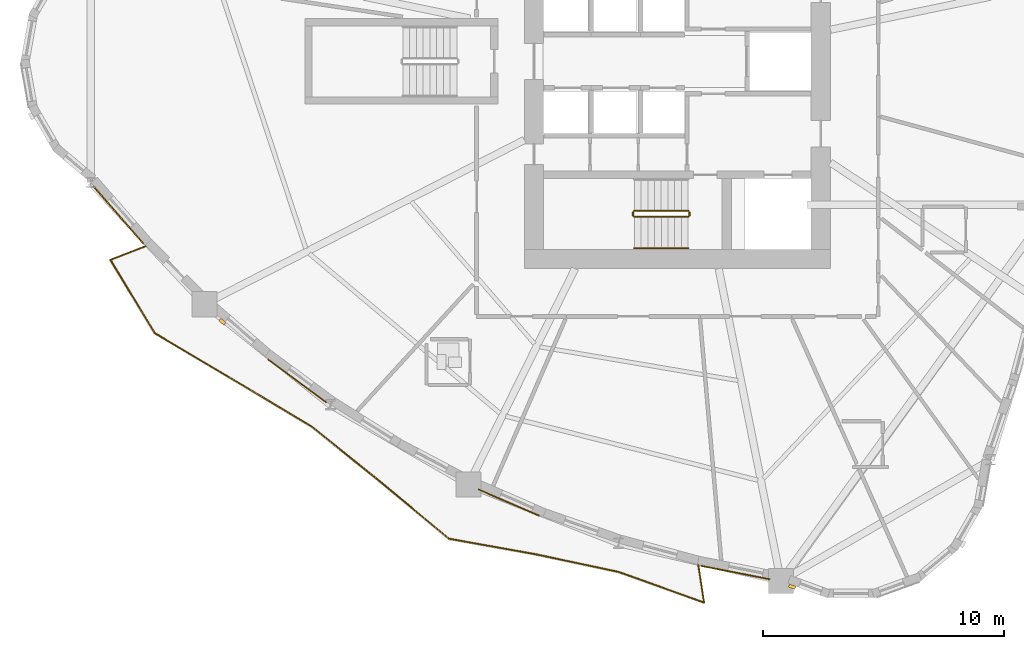
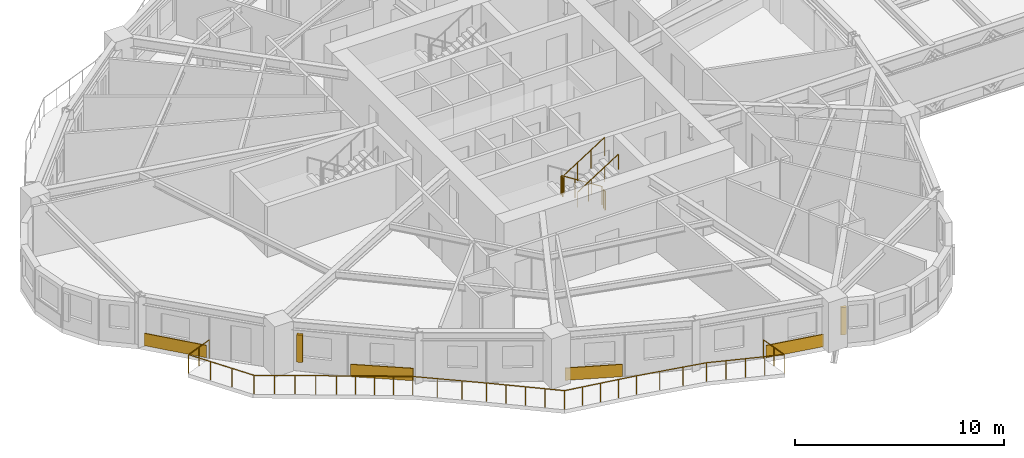
# One storey, part 14 of 18: 6 railings, 4 coverings, 2 shading devices.
"""IFC4 building model written with IfcOpenShell, lengths in metres."""

import ifcopenshell
import ifcopenshell.guid

model = None  # the IFC model being written
_history = None  # IfcOwnerHistory: only IFC2X3 demands one
_inside = {}  # id of a spatial element -> (the spatial element, [elements in it])
_under = {}  # id of a project, library or spatial element -> (it, [spatial elements below it])
_declared = {}  # id of a project -> (the project, [libraries it declares])
_typed = {}  # id of a type object -> (the type object, [elements of that type])
_made_of = {}  # id of a material, layer set ... -> (it, [elements and type objects made of it])


def new_model(schema):
    """Start an empty IFC model of exactly this schema.

    Asked for "IFC4X3", IfcOpenShell would pick the latest addendum, in which some entities
    have other attributes; the version numbers below select the first issue.
    IFC2X3 requires an IfcOwnerHistory on every rooted entity: one is made here for all.
    """
    global model, _history
    if schema == "IFC4X3":
        model = ifcopenshell.file(schema_version=(4, 3, 0, 0))
    else:
        model = ifcopenshell.file(schema=schema)
    _inside.clear()
    _under.clear()
    _declared.clear()
    _typed.clear()
    _made_of.clear()
    _history = None
    if model.schema == "IFC2X3":
        org = make("IfcOrganization", Name="unknown")
        user = make(
            "IfcPersonAndOrganization",
            ThePerson=make("IfcPerson", FamilyName="unknown"),
            TheOrganization=org,
        )
        app = make(
            "IfcApplication",
            ApplicationDeveloper=org,
            Version="unknown",
            ApplicationFullName="unknown",
            ApplicationIdentifier="unknown",
        )
        _history = make(
            "IfcOwnerHistory",
            OwningUser=user,
            OwningApplication=app,
            ChangeAction="ADDED",
            CreationDate=0,
        )
    return model


def make(cls, **values):
    """One entity of the class cls with the attributes given. An attribute that is None is left unset."""
    return model.create_entity(
        cls, **{name: value for name, value in values.items() if value is not None}
    )


def rooted(cls, **values):
    """An entity with a GlobalId (a new one), such as an element, a storey or a relation."""
    return make(cls, GlobalId=ifcopenshell.guid.new(), OwnerHistory=_history, **values)


def si_unit(unit_type, name, prefix=None):
    """IfcSIUnit, for example si_unit("LENGTHUNIT", "METRE", prefix="MILLI")."""
    return make("IfcSIUnit", UnitType=unit_type, Prefix=prefix, Name=name)


def assignment(units):
    """IfcUnitAssignment: the units of a project."""
    return None if units is None else make("IfcUnitAssignment", Units=units)


def point(xyz):
    """IfcCartesianPoint."""
    return None if xyz is None else make("IfcCartesianPoint", Coordinates=xyz)


def direction(xyz):
    """IfcDirection."""
    return None if xyz is None else make("IfcDirection", DirectionRatios=xyz)


def frame(location, z_axis=None, x_axis=None):
    """IfcAxis2Placement3D, a coordinate frame: its origin and axes. An axis left out is left unset."""
    return make(
        "IfcAxis2Placement3D",
        Location=point(location),
        Axis=direction(z_axis),
        RefDirection=direction(x_axis),
    )


def frame_2d(location, x_axis=None):
    """IfcAxis2Placement2D, a coordinate frame in the plane: its origin and x axis."""
    return make(
        "IfcAxis2Placement2D", Location=point(location), RefDirection=direction(x_axis)
    )


def origin():
    """The frame at (0, 0, 0) with its axes left unset."""
    return frame((0.0, 0.0, 0.0))


def origin_2d():
    """The frame at (0, 0) in the plane with its x axis left unset."""
    return frame_2d((0.0, 0.0))


def place(relative_to, where):
    """IfcLocalPlacement: puts the frame where relative to a parent placement (None: the world)."""
    return make(
        "IfcLocalPlacement", PlacementRelTo=relative_to, RelativePlacement=where
    )


def context(
    kind, dimensions, precision=None, world=None, true_north=None, identifier=None
):
    """IfcGeometricRepresentationContext, for example the 3D "Model" context."""
    return make(
        "IfcGeometricRepresentationContext",
        ContextIdentifier=identifier,
        ContextType=kind,
        CoordinateSpaceDimension=dimensions,
        Precision=precision,
        WorldCoordinateSystem=world,
        TrueNorth=true_north,
    )


def subcontext(parent, identifier, kind, view, scale=None):
    """IfcGeometricRepresentationSubContext, for example "Body" below "Model"."""
    return make(
        "IfcGeometricRepresentationSubContext",
        ContextIdentifier=identifier,
        ContextType=kind,
        ParentContext=parent,
        TargetScale=scale,
        TargetView=view,
    )


def project(units=None, contexts=None):
    """IfcProject with its units and contexts."""
    return rooted(
        "IfcProject",
        Name="project",
        RepresentationContexts=contexts,
        UnitsInContext=assignment(units),
    )


def spatial(cls, under=None, at=None, **own):
    """A site, building, storey or space (cls), placed at a placement, below another one or the project."""
    s = rooted(cls, ObjectPlacement=at, **own)
    if under is not None:
        _under.setdefault(under.id(), (under, []))[1].append(s)
    return s


def profile(cls, at=None, kind="AREA", **sizes):
    """A parametric profile (cls). Its sizes go by their IFC names, for example OverallWidth=200.0."""
    return make(cls, ProfileType=kind, Position=at, **sizes)


def rectangle(**sizes):
    """IfcRectangleProfileDef."""
    return profile("IfcRectangleProfileDef", **sizes)


def circle(**sizes):
    """IfcCircleProfileDef."""
    return profile("IfcCircleProfileDef", **sizes)


def extrude(swept, where, along, depth):
    """IfcExtrudedAreaSolid: the profile swept, set in the frame where, extruded along a direction by depth."""
    return make(
        "IfcExtrudedAreaSolid",
        SweptArea=swept,
        Position=where,
        ExtrudedDirection=direction(along),
        Depth=depth,
    )


def shape(context_of_items, identifier, shape_type, items):
    """IfcShapeRepresentation: the items that make up one representation, for example the "Body"."""
    return make(
        "IfcShapeRepresentation",
        ContextOfItems=context_of_items,
        RepresentationIdentifier=identifier,
        RepresentationType=shape_type,
        Items=items,
    )


def source(mapping_origin, context_of_items, identifier, shape_type, items):
    """IfcRepresentationMap: a shape defined once, which mapped items show again and again."""
    return make(
        "IfcRepresentationMap",
        MappingOrigin=mapping_origin,
        MappedRepresentation=shape(context_of_items, identifier, shape_type, items),
    )


def transform(
    local_origin,
    x_axis=None,
    y_axis=None,
    z_axis=None,
    scale=None,
    scale2=None,
    scale3=None,
    uniform=True,
):
    """IfcCartesianTransformationOperator3D, or its non-uniform kind. x_axis, y_axis, z_axis: its Axis1, 2, 3."""
    if uniform:
        return make(
            "IfcCartesianTransformationOperator3D",
            Axis1=direction(x_axis),
            Axis2=direction(y_axis),
            LocalOrigin=point(local_origin),
            Scale=scale,
            Axis3=direction(z_axis),
        )
    return make(
        "IfcCartesianTransformationOperator3DnonUniform",
        Axis1=direction(x_axis),
        Axis2=direction(y_axis),
        LocalOrigin=point(local_origin),
        Scale=scale,
        Axis3=direction(z_axis),
        Scale2=scale2,
        Scale3=scale3,
    )


def mapped(mapping_source, mapping_target):
    """IfcMappedItem: shows the shape of a source again, moved by a transform."""
    return make(
        "IfcMappedItem", MappingSource=mapping_source, MappingTarget=mapping_target
    )


def material(Name=None, Category=None):
    """IfcMaterial."""
    return make("IfcMaterial", Name=Name, Category=Category)


def layer(
    of_material, thickness, ventilated=None, Name=None, Category=None, Priority=None
):
    """IfcMaterialLayer: one layer of a wall or slab, of a material (None: an air gap)."""
    return make(
        "IfcMaterialLayer",
        Material=of_material,
        LayerThickness=thickness,
        IsVentilated=ventilated,
        Name=Name,
        Category=Category,
        Priority=Priority,
    )


def layer_set(layers, Name=None):
    """IfcMaterialLayerSet."""
    return make("IfcMaterialLayerSet", MaterialLayers=layers, LayerSetName=Name)


def made_of(thing, what):
    """Note that an element or type object is made of a material, layer set ...; save() writes the relation."""
    if what is not None:
        _made_of.setdefault(what.id(), (what, []))[1].append(thing)
    return thing


def type_object(cls, material=None, **own):
    """A type object (cls), such as IfcWallType, which elements share."""
    return made_of(rooted(cls, **own), material)


def element(
    cls,
    number,
    at=None,
    inside=None,
    cuts=None,
    type_object=None,
    material=None,
    context=None,
    identifier="Body",
    shape_type=None,
    held_by="IfcProductDefinitionShape",
    body=None,
    shapes=None,
    **own,
):
    """One element of the class cls, such as IfcWall. Its Tag is "e" and its number.

    at: its placement. inside: the storey or other place that contains it. cuts: it is an
    opening in that element (IfcRelVoidsElement). A single representation is given by context,
    identifier, shape_type and body (its items); several are given by shapes. held_by: the class
    of the entity that holds the representations. save() writes the other relations.
    """
    e = rooted(cls, Tag="e%d" % number, ObjectPlacement=at, **own)
    if body is not None:
        shapes = [shape(context, identifier, shape_type, body)]
    if shapes is not None:
        e.Representation = make(held_by, Representations=shapes)
    if inside is not None:
        _inside.setdefault(inside.id(), (inside, []))[1].append(e)
    if cuts is not None:
        rooted(
            "IfcRelVoidsElement", RelatingBuildingElement=cuts, RelatedOpeningElement=e
        )
    if type_object is not None:
        _typed.setdefault(type_object.id(), (type_object, []))[1].append(e)
    return made_of(e, material)


def aggregate(whole, parts):
    """IfcRelAggregates: a whole, such as a stair, and the parts it consists of."""
    return rooted("IfcRelAggregates", RelatingObject=whole, RelatedObjects=parts)


def save(model, path):
    """Write the relations noted so far, then the file.

    IfcRelAggregates (storeys below a building ...), IfcRelContainedInSpatialStructure (elements
    in a storey), IfcRelDefinesByType, IfcRelAssociatesMaterial and IfcRelDeclares: one each for
    every whole, place, type object, material and project.
    """
    for whole, parts in _under.values():
        aggregate(whole, parts)
    for where, things in _inside.values():
        rooted(
            "IfcRelContainedInSpatialStructure",
            RelatedElements=things,
            RelatingStructure=where,
        )
    for kind, things in _typed.values():
        rooted("IfcRelDefinesByType", RelatedObjects=things, RelatingType=kind)
    for what, things in _made_of.values():
        rooted("IfcRelAssociatesMaterial", RelatedObjects=things, RelatingMaterial=what)
    for by, libraries in _declared.values():
        rooted("IfcRelDeclares", RelatingContext=by, RelatedDefinitions=libraries)
    model.write(path)


model = new_model("IFC4")

# Units and contexts
model_context = context("Model", 3, precision=1e-05, world=origin(), true_north=direction((0.0, 1.0)))
body_context = subcontext(model_context, "Body", "Model", "MODEL_VIEW")
ifc_project = project(units=[si_unit("LENGTHUNIT", "METRE"), si_unit("AREAUNIT", "SQUARE_METRE"), si_unit("VOLUMEUNIT", "CUBIC_METRE"), si_unit("PLANEANGLEUNIT", "RADIAN"), si_unit("MASSUNIT", "GRAM", prefix="KILO")], contexts=[model_context])

# Site, building, storey
site_placement = place(None, origin())
site = spatial("IfcSite", under=ifc_project, at=site_placement, CompositionType="ELEMENT")
building_placement = place(site_placement, origin())
building = spatial("IfcBuilding", under=site, at=building_placement, Name="Qafzar Sky-Pleat Residences", CompositionType="ELEMENT")
storey_placement = place(building_placement, frame((0.0, 0.0, 27.0)))
storey = spatial("IfcBuildingStorey", under=building, at=storey_placement, Name="L07", CompositionType="ELEMENT", Elevation=27.0)

# Shading devices
ifc_material_1 = material(Name="Honed Riyadh limestone solar fin", Category="masonry")
ifc_layer_1 = layer(ifc_material_1, 0.139892578125)
ifc_layer_set_1 = layer_set([ifc_layer_1], Name="Honed Riyadh limestone solar fin")
shading_device_type = type_object("IfcShadingDeviceType", Name="SHD-FIN-STONE", PredefinedType="SHUTTER", material=ifc_layer_set_1)
shared_shape_1 = source(origin(), body_context, "Body", "SweptSolid", [
    extrude(rectangle(XDim=0.139892578125, YDim=0.280029296875, at=origin_2d()), origin(), (0.0, 0.0, 1.0), 1.60009765625),
])
for number, where, z_axis, x_axis, name in (
    (1, (11.478515625, 15.2001953125, 0.599853515625), (0.0, 0.0, 1.0), (-0.652861447294, -0.757477346616, 0.0), "L07 Limestone Solar Fin 9"),
    (2, (35.10791015625, 4.20703125, 0.599853515625), (0.0, 0.0, 1.0), (-0.342010122116, -0.939696268148, 0.0), "L07 Limestone Solar Fin 17"),
):
    element("IfcShadingDevice", number, at=place(storey_placement, frame(where, z_axis=z_axis, x_axis=x_axis)), inside=storey, type_object=shading_device_type, Name=name, PredefinedType="SHUTTER", context=body_context, shape_type="MappedRepresentation", body=[
        mapped(shared_shape_1, transform((0.0, 0.0, 0.0), x_axis=(1.0, 0.0, 0.0), y_axis=(0.0, 1.0, 0.0), z_axis=(0.0, 0.0, 1.0), scale=1.0)),
    ])

# Coverings
ifc_material_2 = material(Name="Honed Riyadh Tuwaiq limestone cladding", Category="masonry")
ifc_layer_2 = layer(ifc_material_2, 0.044921875)
ifc_layer_set_2 = layer_set([ifc_layer_2], Name="Honed Riyadh Tuwaiq limestone cladding")
covering_type = type_object("IfcCoveringType", Name="COV-CLAD-STONE", PredefinedType="CLADDING", material=ifc_layer_set_2)
shared_shape_2 = source(origin(), body_context, "Body", "SweptSolid", [
    extrude(rectangle(XDim=2.75927734375, YDim=0.044921875, at=origin_2d()), origin(), (0.0, 0.0, 1.0), 0.719970703125),
])
covering_1_placement = place(storey_placement, frame((23.35546875, 7.695068359375, 0.02001953125), z_axis=(0.0, 0.0, 1.0), x_axis=(0.917079389831, -0.398704643499, 0.0)))
element("IfcCovering", 3, at=covering_1_placement, inside=storey, type_object=covering_type, Name="L07 Riyadh Limestone Spandrel Cladding 13", PredefinedType="CLADDING", context=body_context, shape_type="MappedRepresentation", body=[
    mapped(shared_shape_2, transform((0.0, 0.0, 0.0), x_axis=(1.0, 0.0, 0.0), y_axis=(0.0, 1.0, 0.0), z_axis=(0.0, 0.0, 1.0), scale=1.0)),
])
shared_shape_3 = source(origin(), body_context, "Body", "SweptSolid", [
    extrude(rectangle(XDim=3.01123046875, YDim=0.044921875, at=origin_2d()), origin(), (0.0, 0.0, 1.0), 0.719970703125),
])
covering_2_placement = place(storey_placement, frame((14.582275390625, 12.741943359375, 0.02001953125), z_axis=(0.0, 0.0, 1.0), x_axis=(0.803807027233, -0.594890126805, 0.0)))
element("IfcCovering", 4, at=covering_2_placement, inside=storey, type_object=covering_type, Name="L07 Riyadh Limestone Spandrel Cladding 10", PredefinedType="CLADDING", context=body_context, shape_type="MappedRepresentation", body=[
    mapped(shared_shape_3, transform((0.0, 0.0, 0.0), x_axis=(1.0, 0.0, 0.0), y_axis=(0.0, 1.0, 0.0), z_axis=(0.0, 0.0, 1.0), scale=1.0)),
])

# Railing
ifc_material_3 = material(Name="Laminated glass and bronze steel balustrade", Category="steel")
railing_type_1 = type_object("IfcRailingType", Name="RAIL-BAL-1100", PredefinedType="BALUSTRADE", material=ifc_material_3)
shared_shape_4 = source(origin(), body_context, "Body", "SweptSolid", [
    extrude(circle(Radius=0.02392578125, at=origin_2d()), frame((0.0, 0.0, 1.076171875), z_axis=(-0.932039510577, -0.362356662313, 0.0), x_axis=(0.362356662313, -0.932039510577, 0.0)), (0.0, 0.0, 1.0), 1.577880859375),
    extrude(circle(Radius=0.02392578125, at=origin_2d()), frame((-1.470703125, -0.57177734375, 1.076171875), z_axis=(0.517682355808, -0.855572894899, 0.0), x_axis=(0.855572894899, 0.517682355808, 0.0)), (0.0, 0.0, 1.0), 3.556396484375),
    extrude(circle(Radius=0.02392578125, at=origin_2d()), frame((0.370361328125, -3.614501953125, 1.076171875), z_axis=(0.860201022615, -0.50995509674, 0.0), x_axis=(0.50995509674, 0.860201022615, 0.0)), (0.0, 0.0, 1.0), 3.94384765625),
    extrude(circle(Radius=0.02392578125, at=origin_2d()), frame((3.762939453125, -5.625732421875, 1.076171875), z_axis=(0.858254409428, -0.513224481779, 0.0), x_axis=(0.513224481779, 0.858254409428, 0.0)), (0.0, 0.0, 1.0), 3.644775390625),
    extrude(circle(Radius=0.02392578125, at=origin_2d()), frame((6.89111328125, -7.496337890625, 1.076171875), z_axis=(0.779347428891, -0.626592040391, 0.0), x_axis=(0.626592040391, 0.779347428891, 0.0)), (0.0, 0.0, 1.0), 3.559326171875),
    extrude(circle(Radius=0.02392578125, at=origin_2d()), frame((9.6650390625, -9.7265625, 1.076171875), z_axis=(0.769557646334, -0.638577347679, 0.0), x_axis=(0.638577347679, 0.769557646334, 0.0)), (0.0, 0.0, 1.0), 3.783935546875),
    extrude(circle(Radius=0.02392578125, at=origin_2d()), frame((12.576904296875, -12.142822265625, 1.076171875), z_axis=(0.984256284045, -0.176747184753, 0.0), x_axis=(0.176747184753, 0.984256284045, 0.0)), (0.0, 0.0, 1.0), 3.64794921875),
    extrude(circle(Radius=0.02392578125, at=origin_2d()), frame((16.16748046875, -12.78759765625, 1.076171875), z_axis=(0.978117941282, -0.208051178662, 0.0), x_axis=(0.208051178662, 0.978117941282, 0.0)), (0.0, 0.0, 1.0), 3.5205078125),
    extrude(circle(Radius=0.02392578125, at=origin_2d()), frame((19.61083984375, -13.52001953125, 1.076171875), z_axis=(0.941329704876, -0.337488350493, 0.0), x_axis=(0.337488350493, 0.941329704876, 0.0)), (0.0, 0.0, 1.0), 3.771728515625),
    extrude(circle(Radius=0.02392578125, at=origin_2d()), frame((23.161376953125, -14.79296875, 1.076171875), z_axis=(-0.152243201733, 0.988343061657, 0.0), x_axis=(-0.988343061657, -0.152243201733, 0.0)), (0.0, 0.0, 1.0), 1.577880859375),
    extrude(circle(Radius=0.02099609375, at=origin_2d()), origin(), (0.0, 0.0, 1.0), 1.052001953125),
    extrude(circle(Radius=0.02099609375, at=origin_2d()), frame((-0.7353515625, -0.285888671875, 0.0)), (0.0, 0.0, 1.0), 1.052001953125),
    extrude(circle(Radius=0.02099609375, at=origin_2d()), frame((-1.470703125, -0.57177734375, 0.0)), (0.0, 0.0, 1.0), 1.052001953125),
    extrude(circle(Radius=0.02099609375, at=origin_2d()), frame((-0.85693359375, -1.5859375, 0.0)), (0.0, 0.0, 1.0), 1.052001953125),
    extrude(circle(Radius=0.02099609375, at=origin_2d()), frame((-0.243408203125, -2.600341796875, 0.0)), (0.0, 0.0, 1.0), 1.052001953125),
    extrude(circle(Radius=0.02099609375, at=origin_2d()), frame((0.370361328125, -3.614501953125, 0.0)), (0.0, 0.0, 1.0), 1.052001953125),
    extrude(circle(Radius=0.02099609375, at=origin_2d()), frame((1.218505859375, -4.1171875, 0.0)), (0.0, 0.0, 1.0), 1.052001953125),
    extrude(circle(Radius=0.02099609375, at=origin_2d()), frame((2.066650390625, -4.6201171875, 0.0)), (0.0, 0.0, 1.0), 1.052001953125),
    extrude(circle(Radius=0.02099609375, at=origin_2d()), frame((2.914794921875, -5.123046875, 0.0)), (0.0, 0.0, 1.0), 1.052001953125),
    extrude(circle(Radius=0.02099609375, at=origin_2d()), frame((3.762939453125, -5.625732421875, 0.0)), (0.0, 0.0, 1.0), 1.052001953125),
    extrude(circle(Radius=0.02099609375, at=origin_2d()), frame((4.544921875, -6.09326171875, 0.0)), (0.0, 0.0, 1.0), 1.052001953125),
    extrude(circle(Radius=0.02099609375, at=origin_2d()), frame((5.3271484375, -6.56103515625, 0.0)), (0.0, 0.0, 1.0), 1.052001953125),
    extrude(circle(Radius=0.02099609375, at=origin_2d()), frame((6.109130859375, -7.02880859375, 0.0)), (0.0, 0.0, 1.0), 1.052001953125),
    extrude(circle(Radius=0.02099609375, at=origin_2d()), frame((6.89111328125, -7.496337890625, 0.0)), (0.0, 0.0, 1.0), 1.052001953125),
    extrude(circle(Radius=0.02099609375, at=origin_2d()), frame((7.815673828125, -8.23974609375, 0.0)), (0.0, 0.0, 1.0), 1.052001953125),
    extrude(circle(Radius=0.02099609375, at=origin_2d()), frame((8.740478515625, -8.983154296875, 0.0)), (0.0, 0.0, 1.0), 1.052001953125),
    extrude(circle(Radius=0.02099609375, at=origin_2d()), frame((9.6650390625, -9.7265625, 0.0)), (0.0, 0.0, 1.0), 1.052001953125),
    extrude(circle(Radius=0.02099609375, at=origin_2d()), frame((10.39306640625, -10.33056640625, 0.0)), (0.0, 0.0, 1.0), 1.052001953125),
    extrude(circle(Radius=0.02099609375, at=origin_2d()), frame((11.12109375, -10.9345703125, 0.0)), (0.0, 0.0, 1.0), 1.052001953125),
    extrude(circle(Radius=0.02099609375, at=origin_2d()), frame((11.848876953125, -11.538818359375, 0.0)), (0.0, 0.0, 1.0), 1.052001953125),
    extrude(circle(Radius=0.02099609375, at=origin_2d()), frame((12.576904296875, -12.142822265625, 0.0)), (0.0, 0.0, 1.0), 1.052001953125),
    extrude(circle(Radius=0.02099609375, at=origin_2d()), frame((13.474609375, -12.303955078125, 0.0)), (0.0, 0.0, 1.0), 1.052001953125),
    extrude(circle(Radius=0.02099609375, at=origin_2d()), frame((14.3720703125, -12.46533203125, 0.0)), (0.0, 0.0, 1.0), 1.052001953125),
    extrude(circle(Radius=0.02099609375, at=origin_2d()), frame((15.269775390625, -12.62646484375, 0.0)), (0.0, 0.0, 1.0), 1.052001953125),
    extrude(circle(Radius=0.02099609375, at=origin_2d()), frame((16.16748046875, -12.78759765625, 0.0)), (0.0, 0.0, 1.0), 1.052001953125),
    extrude(circle(Radius=0.02099609375, at=origin_2d()), frame((17.315185546875, -13.03173828125, 0.0)), (0.0, 0.0, 1.0), 1.052001953125),
    extrude(circle(Radius=0.02099609375, at=origin_2d()), frame((18.463134765625, -13.27587890625, 0.0)), (0.0, 0.0, 1.0), 1.052001953125),
    extrude(circle(Radius=0.02099609375, at=origin_2d()), frame((19.61083984375, -13.52001953125, 0.0)), (0.0, 0.0, 1.0), 1.052001953125),
    extrude(circle(Radius=0.02099609375, at=origin_2d()), frame((20.49853515625, -13.83837890625, 0.0)), (0.0, 0.0, 1.0), 1.052001953125),
    extrude(circle(Radius=0.02099609375, at=origin_2d()), frame((21.38623046875, -14.156494140625, 0.0)), (0.0, 0.0, 1.0), 1.052001953125),
    extrude(circle(Radius=0.02099609375, at=origin_2d()), frame((22.273681640625, -14.474609375, 0.0)), (0.0, 0.0, 1.0), 1.052001953125),
    extrude(circle(Radius=0.02099609375, at=origin_2d()), frame((23.161376953125, -14.79296875, 0.0)), (0.0, 0.0, 1.0), 1.052001953125),
    extrude(circle(Radius=0.02099609375, at=origin_2d()), frame((23.041259765625, -14.01318359375, 0.0)), (0.0, 0.0, 1.0), 1.052001953125),
    extrude(circle(Radius=0.02099609375, at=origin_2d()), frame((22.921142578125, -13.2333984375, 0.0)), (0.0, 0.0, 1.0), 1.052001953125),
])
railing_1_placement = place(storey_placement, frame((8.296875, 18.340087890625, 0.0)))
element("IfcRailing", 5, at=railing_1_placement, inside=storey, type_object=railing_type_1, Name="L07 Pleated Balcony 2 Balustrade", PredefinedType="BALUSTRADE", context=body_context, shape_type="MappedRepresentation", body=[
    mapped(shared_shape_4, transform((0.0, 0.0, 0.0), x_axis=(1.0, 0.0, 0.0), y_axis=(0.0, 1.0, 0.0), z_axis=(0.0, 0.0, 1.0), scale=1.0)),
])

# Coverings
shared_shape_5 = source(origin(), body_context, "Body", "SweptSolid", [
    extrude(rectangle(XDim=3.161376953125, YDim=0.044921875, at=origin_2d()), origin(), (0.0, 0.0, 1.0), 0.719970703125),
])
covering_3_placement = place(storey_placement, frame((7.16162109375, 19.62451171875, 0.02001953125), z_axis=(0.0, 0.0, 1.0), x_axis=(0.657627387278, -0.75334336096, 0.0)))
element("IfcCovering", 6, at=covering_3_placement, inside=storey, type_object=covering_type, Name="L07 Riyadh Limestone Spandrel Cladding 7", PredefinedType="CLADDING", context=body_context, shape_type="MappedRepresentation", body=[
    mapped(shared_shape_5, transform((0.0, 0.0, 0.0), x_axis=(1.0, 0.0, 0.0), y_axis=(0.0, 1.0, 0.0), z_axis=(0.0, 0.0, 1.0), scale=1.0)),
])
shared_shape_6 = source(origin(), body_context, "Body", "SweptSolid", [
    extrude(rectangle(XDim=2.9091796875, YDim=0.044921875, at=origin_2d()), origin(), (0.0, 0.0, 1.0), 0.719970703125),
])
covering_4_placement = place(storey_placement, frame((32.760498046875, 4.79248046875, 0.02001953125), z_axis=(0.0, 0.0, 1.0), x_axis=(0.981227291247, -0.19285487526, 0.0)))
element("IfcCovering", 7, at=covering_4_placement, inside=storey, type_object=covering_type, Name="L07 Riyadh Limestone Spandrel Cladding 16", PredefinedType="CLADDING", context=body_context, shape_type="MappedRepresentation", body=[
    mapped(shared_shape_6, transform((0.0, 0.0, 0.0), x_axis=(1.0, 0.0, 0.0), y_axis=(0.0, 1.0, 0.0), z_axis=(0.0, 0.0, 1.0), scale=1.0)),
])

# Railings
ifc_material_4 = material(Name="Painted Steel S355 stair guardrail", Category="steel")
railing_type_2 = type_object("IfcRailingType", Name="RAIL-STAIR-GUARD", PredefinedType="GUARDRAIL", material=ifc_material_4)
shared_shape_7 = source(origin(), body_context, "Body", "SweptSolid", [
    extrude(circle(Radius=0.02392578125, at=origin_2d()), frame((0.0, 0.0, 1.076171875), z_axis=(0.0, -1.0, 0.0), x_axis=(1.0, 0.0, 0.0)), (0.0, 0.0, 1.0), 0.14990234375),
    extrude(circle(Radius=0.02099609375, at=origin_2d()), origin(), (0.0, 0.0, 1.0), 1.052001953125),
    extrude(circle(Radius=0.02099609375, at=origin_2d()), frame((0.0, -0.14990234375, 0.0)), (0.0, 0.0, 1.0), 1.052001953125),
])
for number, where, name in (
    (8, (28.510009765625, 19.75, 1.60009765625), "L07 ST1 stair guard 2"),
    (9, (30.85009765625, 19.75, 0.0), "L07 ST1 stair guard 4"),
):
    element("IfcRailing", number, at=place(storey_placement, frame(where)), inside=storey, type_object=railing_type_2, Name=name, PredefinedType="GUARDRAIL", context=body_context, shape_type="MappedRepresentation", body=[
        mapped(shared_shape_7, transform((0.0, 0.0, 0.0), x_axis=(1.0, 0.0, 0.0), y_axis=(0.0, 1.0, 0.0), z_axis=(0.0, 0.0, 1.0), scale=1.0)),
    ])
shared_shape_8 = source(origin(), body_context, "Body", "SweptSolid", [
    extrude(circle(Radius=0.02392578125, at=origin_2d()), frame((0.0, 0.0, 1.076171875), z_axis=(0.8442293374, 0.0, 0.53598211339), x_axis=(0.0, 1.0, 0.0)), (0.0, 0.0, 1.0), 2.6533203125),
    extrude(circle(Radius=0.02099609375, at=origin_2d()), origin(), (0.0, 0.0, 1.0), 1.052001953125),
    extrude(circle(Radius=0.02099609375, at=origin_2d()), frame((0.74658203125, 0.0, 0.47412109375)), (0.0, 0.0, 1.0), 1.052001953125),
    extrude(circle(Radius=0.02099609375, at=origin_2d()), frame((1.493408203125, 0.0, 0.947998046875)), (0.0, 0.0, 1.0), 1.052001953125),
    extrude(circle(Radius=0.02099609375, at=origin_2d()), frame((2.239990234375, 0.0, 1.422119140625)), (0.0, 0.0, 1.0), 1.052001953125),
])
railing_2_placement = place(storey_placement, frame((28.56005859375, 19.550048828125, 1.77783203125)))
element("IfcRailing", 10, at=railing_2_placement, inside=storey, type_object=railing_type_2, Name="L07 ST1 stair guard 3", PredefinedType="GUARDRAIL", context=body_context, shape_type="MappedRepresentation", body=[
    mapped(shared_shape_8, transform((0.0, 0.0, 0.0), x_axis=(1.0, 0.0, 0.0), y_axis=(0.0, 1.0, 0.0), z_axis=(0.0, 0.0, 1.0), scale=1.0)),
])
ifc_material_5 = material(Name="Brushed stainless steel handrail", Category="steel")
railing_type_3 = type_object("IfcRailingType", Name="RAIL-STAIR-HAND", PredefinedType="HANDRAIL", material=ifc_material_5)
shared_shape_9 = source(origin(), body_context, "Body", "SweptSolid", [
    extrude(circle(Radius=0.02392578125, at=origin_2d()), frame((0.0, 0.0, 0.8759765625), z_axis=(0.8442293374, 0.0, 0.53598211339), x_axis=(0.0, 1.0, 0.0)), (0.0, 0.0, 1.0), 2.6533203125),
    extrude(circle(Radius=0.02099609375, at=origin_2d()), origin(), (0.0, 0.0, 1.0), 0.851806640625),
    extrude(circle(Radius=0.02099609375, at=origin_2d()), frame((0.74658203125, 0.0, 0.47412109375)), (0.0, 0.0, 1.0), 0.851806640625),
    extrude(circle(Radius=0.02099609375, at=origin_2d()), frame((1.493408203125, 0.0, 0.947998046875)), (0.0, 0.0, 1.0), 0.851806640625),
    extrude(circle(Radius=0.02099609375, at=origin_2d()), frame((2.239990234375, 0.0, 1.422119140625)), (0.0, 0.0, 1.0), 0.851806640625),
])
railing_3_placement = place(storey_placement, frame((28.56005859375, 18.25, 1.77783203125)))
element("IfcRailing", 11, at=railing_3_placement, inside=storey, type_object=railing_type_3, Name="L07 ST1 stair handrail 2", PredefinedType="HANDRAIL", context=body_context, shape_type="MappedRepresentation", body=[
    mapped(shared_shape_9, transform((0.0, 0.0, 0.0), x_axis=(1.0, 0.0, 0.0), y_axis=(0.0, 1.0, 0.0), z_axis=(0.0, 0.0, 1.0), scale=1.0)),
])
shared_shape_10 = source(origin(), body_context, "Body", "SweptSolid", [
    extrude(circle(Radius=0.02392578125, at=origin_2d()), frame((0.0, 0.0, 1.076171875), z_axis=(-0.84418770128, 0.0, 0.536047689118), x_axis=(0.0, -1.0, 0.0)), (0.0, 0.0, 1.0), 2.6533203125),
    extrude(circle(Radius=0.02099609375, at=origin_2d()), origin(), (0.0, 0.0, 1.0), 1.052001953125),
    extrude(circle(Radius=0.02099609375, at=origin_2d()), frame((-0.74658203125, 0.0, 0.47412109375)), (0.0, 0.0, 1.0), 1.052001953125),
    extrude(circle(Radius=0.02099609375, at=origin_2d()), frame((-1.493408203125, 0.0, 0.9482421875)), (0.0, 0.0, 1.0), 1.052001953125),
    extrude(circle(Radius=0.02099609375, at=origin_2d()), frame((-2.239990234375, 0.0, 1.42236328125)), (0.0, 0.0, 1.0), 1.052001953125),
])
railing_4_placement = place(storey_placement, frame((30.800048828125, 19.800048828125, 0.177734375)))
element("IfcRailing", 12, at=railing_4_placement, inside=storey, type_object=railing_type_2, Name="L07 ST1 stair guard 1", PredefinedType="GUARDRAIL", context=body_context, shape_type="MappedRepresentation", body=[
    mapped(shared_shape_10, transform((0.0, 0.0, 0.0), x_axis=(1.0, 0.0, 0.0), y_axis=(0.0, 1.0, 0.0), z_axis=(0.0, 0.0, 1.0), scale=1.0)),
])

save(model, "model.ifc")
